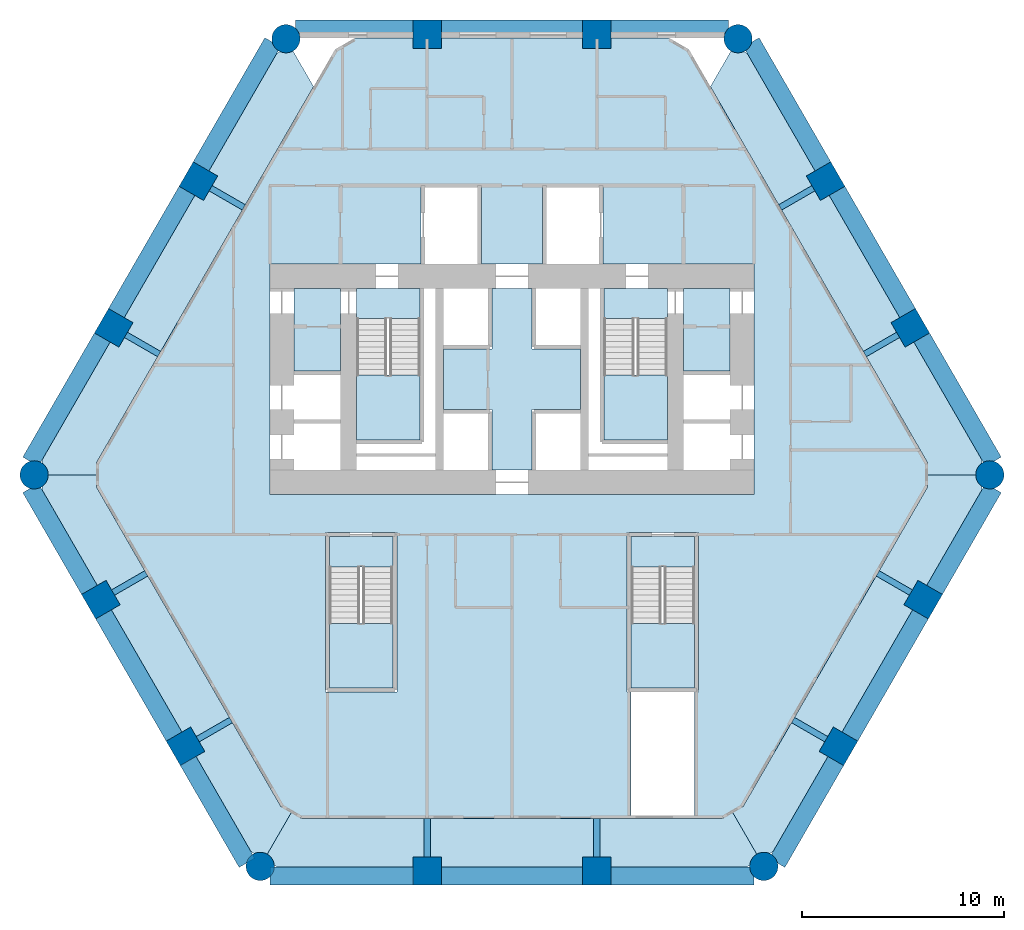
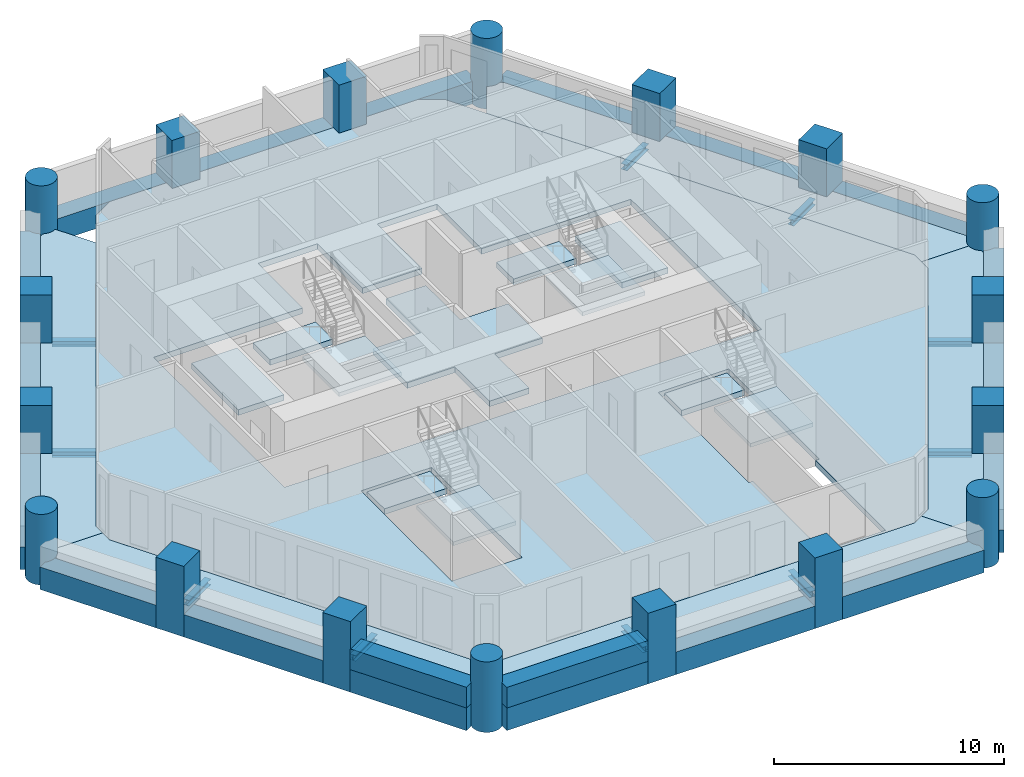
# One storey, part 1 of 8: 28 beams, 18 columns, 17 slabs, 2 walls, 4 elements without a shape of their own.
"""IFC4 building model written with IfcOpenShell, lengths in metres."""

from ifc_helpers import new_model, si_unit, direction, frame, frame_2d, origin, origin_2d, place, context, subcontext, project, spatial, polyline, rectangle, circle, i_section, outline, extrude, material, layer, layer_set, material_profile, profile_set, type_object, element, aggregate, save


model = new_model("IFC4")

# Units and contexts
model_context = context("Model", 3, precision=1e-05, world=origin(), true_north=direction((0.0, 1.0)))
body_context = subcontext(model_context, "Body", "Model", "MODEL_VIEW")
ifc_project = project(units=[si_unit("LENGTHUNIT", "METRE"), si_unit("AREAUNIT", "SQUARE_METRE"), si_unit("VOLUMEUNIT", "CUBIC_METRE"), si_unit("PLANEANGLEUNIT", "RADIAN"), si_unit("MASSUNIT", "GRAM", prefix="KILO")], contexts=[model_context])

# Site, building, storey
site_placement = place(None, origin())
site = spatial("IfcSite", under=ifc_project, at=site_placement, CompositionType="ELEMENT")
building_placement = place(site_placement, origin())
building = spatial("IfcBuilding", under=site, at=building_placement, Name="Ostrander Bayou Hotel Tower", CompositionType="ELEMENT")
storey_placement = place(building_placement, frame((0.0, 0.0, 61.75)))
storey = spatial("IfcBuildingStorey", under=building, at=storey_placement, Name="L15", CompositionType="ELEMENT", Elevation=61.75)

# Columns
ifc_material_1 = material(Name="Concrete f'c 70 MPa", Category="concrete")
ifc_material_profile_1 = material_profile(ifc_material_1, circle(Radius=0.699951171875, at=origin_2d()))
ifc_profile_set_1 = profile_set([ifc_material_profile_1], Name="Concrete f'c 70 MPa")
column_type_1 = type_object("IfcColumnType", Name="C1 round column 1400 mm f'c 70 MPa", PredefinedType="COLUMN", material=ifc_profile_set_1)
for number, where, z_axis, x_axis, name in (
    (1, (-11.2001953125, 20.872314453125, -1.199951171875), (0.0, 0.0, 1.0), (1.0, 0.0, 0.0), "C1 L15 K0"),
    (2, (-23.676025390625, -0.736328125, -1.199951171875), (0.0, 0.0, 1.0), (1.0, 0.0, 0.0), "C1 L15 K1"),
    (3, (-12.475830078125, -20.1357421875, -1.199951171875), (0.0, 0.0, 1.0), (1.0, 0.0, 0.0), "C1 L15 K2"),
    (4, (12.475830078125, -20.1357421875, -1.199951171875), (0.0, 0.0, 1.0), (1.0, 0.0, 0.0), "C1 L15 K3"),
    (5, (23.676025390625, -0.736328125, -1.199951171875), (0.0, 0.0, 1.0), (1.0, 0.0, 0.0), "C1 L15 K4"),
    (6, (11.2001953125, 20.872314453125, -1.199951171875), (0.0, 0.0, 1.0), (1.0, 0.0, 0.0), "C1 L15 K5"),
):
    element("IfcColumn", number, at=place(storey_placement, frame(where, z_axis=z_axis, x_axis=x_axis)), inside=storey, type_object=column_type_1, Name=name, PredefinedType="COLUMN", context=body_context, shape_type="SweptSolid", body=[
        extrude(circle(Radius=0.699951171875, at=origin_2d()), origin(), (0.0, 0.0, 1.0), 3.75),
    ])
ifc_material_2 = material(Name="Concrete f'c 70 MPa", Category="concrete")
ifc_material_profile_2 = material_profile(ifc_material_2, rectangle(XDim=1.39990234375, YDim=1.39990234375, at=origin_2d()))
ifc_profile_set_2 = profile_set([ifc_material_profile_2], Name="Concrete f'c 70 MPa")
column_type_2 = type_object("IfcColumnType", Name="C2 square column 1400 x 1400 mm f'c 70 MPa", PredefinedType="COLUMN", material=ifc_profile_set_2)
for number, where, z_axis, x_axis, name in (
    (7, (4.1953125, 21.10009765625, -1.199951171875), (0.0, 0.0, 1.0), (1.0, 0.0, 0.0), "C2 L15 N1"),
    (8, (-4.1953125, 21.10009765625, -1.199951171875), (0.0, 0.0, 1.0), (1.0, 0.0, 0.0), "C2 L15 N2"),
    (9, (-15.53759765625, 13.815185546875, -1.199951171875), (0.0, 0.0, 1.0), (0.5, 0.866025403784, 0.0), "C2 L15 NW1"),
    (10, (-19.733154296875, 6.548583984375, -1.199951171875), (0.0, 0.0, 1.0), (0.5, 0.866025403784, 0.0), "C2 L15 NW2"),
    (11, (-20.370849609375, -6.916748046875, -1.199951171875), (0.0, 0.0, 1.0), (-0.5, 0.866025403784, 0.0), "C2 L15 SW1"),
    (12, (-16.17529296875, -14.183349609375, -1.199951171875), (0.0, 0.0, 1.0), (-0.5, 0.866025403784, 0.0), "C2 L15 SW2"),
    (13, (-4.1953125, -20.363525390625, -1.199951171875), (0.0, 0.0, 1.0), (-1.0, 0.0, 0.0), "C2 L15 S1"),
    (14, (4.1953125, -20.363525390625, -1.199951171875), (0.0, 0.0, 1.0), (-1.0, 0.0, 0.0), "C2 L15 S2"),
    (15, (16.17529296875, -14.183349609375, -1.199951171875), (0.0, 0.0, 1.0), (-0.5, -0.866025403784, 0.0), "C2 L15 SE1"),
    (16, (20.370849609375, -6.916748046875, -1.199951171875), (0.0, 0.0, 1.0), (-0.5, -0.866025403784, 0.0), "C2 L15 SE2"),
    (17, (19.733154296875, 6.548583984375, -1.199951171875), (0.0, 0.0, 1.0), (0.5, -0.866025403784, 0.0), "C2 L15 NE1"),
    (18, (15.53759765625, 13.815185546875, -1.199951171875), (0.0, 0.0, 1.0), (0.5, -0.866025403784, 0.0), "C2 L15 NE2"),
):
    element("IfcColumn", number, at=place(storey_placement, frame(where, z_axis=z_axis, x_axis=x_axis)), inside=storey, type_object=column_type_2, Name=name, PredefinedType="COLUMN", context=body_context, shape_type="SweptSolid", body=[
        extrude(rectangle(XDim=1.39990234375, YDim=1.39990234375, at=origin_2d()), origin(), (0.0, 0.0, 1.0), 3.75),
    ])

# Beams
ifc_material_3 = material(Name="Steel ASTM A992", Category="steel")
ifc_material_profile_3 = material_profile(ifc_material_3, i_section(OverallWidth=0.3046875, OverallDepth=0.307861328125, WebThickness=0.010009765625, FlangeThickness=0.015380859375, at=origin_2d()))
ifc_profile_set_3 = profile_set([ifc_material_profile_3], Name="Steel ASTM A992")
beam_type_1 = type_object("IfcBeamType", Name="LB1 loggia bracket W12x65", PredefinedType="BEAM", material=ifc_profile_set_3)
for number, where, z_axis, x_axis, name in (
    (19, (-14.931396484375, 13.465087890625, -0.453857421875), (0.866044365799, -0.499967155389, 0.0), (0.499967155389, 0.866044365799, 0.0), "LB1 L15 NW1"),
    (20, (-19.126953125, 6.198486328125, -0.453857421875), (0.866044365799, -0.499967155389, 0.0), (0.499967155389, 0.866044365799, 0.0), "LB1 L15 NW2"),
    (21, (-19.7646484375, -6.566650390625, -0.453857421875), (0.866044365799, 0.499967155389, 0.0), (-0.499967155389, 0.866044365799, 0.0), "LB1 L15 SW1"),
):
    element("IfcBeam", number, at=place(storey_placement, frame(where, z_axis=z_axis, x_axis=x_axis)), inside=storey, type_object=beam_type_1, Name=name, PredefinedType="BEAM", context=body_context, shape_type="SweptSolid", body=[
        extrude(i_section(OverallWidth=0.3046875, OverallDepth=0.307861328125, WebThickness=0.010009765625, FlangeThickness=0.015380859375, at=origin_2d()), origin(), (0.0, 0.0, 1.0), 1.900146484375),
    ])
for number, where, z_axis, x_axis, name in (
    (22, (-15.569091796875, -13.833251953125, -0.453857421875), (0.86601224135, 0.500022797313, 0.0), (-0.500022797313, 0.86601224135, 0.0), "LB1 L15 SW2"),
    (23, (-4.1953125, -19.66357421875, -0.453857421875), (0.0, 1.0, 0.0), (-1.0, 0.0, 0.0), "LB1 L15 S1"),
    (24, (4.1953125, -19.66357421875, -0.453857421875), (0.0, 1.0, 0.0), (-1.0, 0.0, 0.0), "LB1 L15 S2"),
    (25, (15.569091796875, -13.833251953125, -0.453857421875), (-0.86601224135, 0.500022797313, 0.0), (-0.500022797313, -0.86601224135, 0.0), "LB1 L15 SE1"),
):
    element("IfcBeam", number, at=place(storey_placement, frame(where, z_axis=z_axis, x_axis=x_axis)), inside=storey, type_object=beam_type_1, Name=name, PredefinedType="BEAM", context=body_context, shape_type="SweptSolid", body=[
        extrude(i_section(OverallWidth=0.3046875, OverallDepth=0.307861328125, WebThickness=0.010009765625, FlangeThickness=0.015380859375, at=origin_2d()), origin(), (0.0, 0.0, 1.0), 1.89990234375),
    ])
for number, where, z_axis, x_axis, name in (
    (26, (19.7646484375, -6.566650390625, -0.453857421875), (-0.866044365799, 0.499967155389, 0.0), (-0.499967155389, -0.866044365799, 0.0), "LB1 L15 SE2"),
    (27, (19.126953125, 6.198486328125, -0.453857421875), (-0.866044365799, -0.499967155389, 0.0), (0.499967155389, -0.866044365799, 0.0), "LB1 L15 NE1"),
    (28, (14.931396484375, 13.465087890625, -0.453857421875), (-0.866044365799, -0.499967155389, 0.0), (0.499967155389, -0.866044365799, 0.0), "LB1 L15 NE2"),
):
    element("IfcBeam", number, at=place(storey_placement, frame(where, z_axis=z_axis, x_axis=x_axis)), inside=storey, type_object=beam_type_1, Name=name, PredefinedType="BEAM", context=body_context, shape_type="SweptSolid", body=[
        extrude(i_section(OverallWidth=0.3046875, OverallDepth=0.307861328125, WebThickness=0.010009765625, FlangeThickness=0.015380859375, at=origin_2d()), origin(), (0.0, 0.0, 1.0), 1.900146484375),
    ])
ifc_material_4 = material(Name="Concrete f'c 70 MPa", Category="concrete")
ifc_material_profile_4 = material_profile(ifc_material_4, rectangle(XDim=0.89990234375, YDim=1.199951171875, at=origin_2d()))
ifc_profile_set_4 = profile_set([ifc_material_profile_4], Name="Concrete f'c 70 MPa")
beam_type_2 = type_object("IfcBeamType", Name="SP1 spandrel beam 900 x 1200 mm f'c 70 MPa", PredefinedType="SPANDREL", material=ifc_profile_set_4)
beam_1_placement = place(storey_placement, frame((10.718505859375, 21.35009765625, -0.60009765625), z_axis=(-1.0, 0.0, 0.0), x_axis=(0.0, -1.0, 0.0)))
element("IfcBeam", 29, at=beam_1_placement, inside=storey, type_object=beam_type_2, Name="SP1 L15 N-1", PredefinedType="SPANDREL", context=body_context, shape_type="SweptSolid", body=[
    extrude(rectangle(XDim=0.89990234375, YDim=1.199951171875, at=origin_2d()), origin(), (0.0, 0.0, 1.0), 5.85302734375),
])
beam_2_placement = place(storey_placement, frame((3.525390625, 21.35009765625, -0.60009765625), z_axis=(-1.0, 0.0, 0.0), x_axis=(0.0, -1.0, 0.0)))
element("IfcBeam", 30, at=beam_2_placement, inside=storey, type_object=beam_type_2, Name="SP1 L15 N-2", PredefinedType="SPANDREL", context=body_context, shape_type="SweptSolid", body=[
    extrude(rectangle(XDim=0.89990234375, YDim=1.199951171875, at=origin_2d()), origin(), (0.0, 0.0, 1.0), 7.05078125),
])
beam_3_placement = place(storey_placement, frame((-4.865478515625, 21.35009765625, -0.60009765625), z_axis=(-1.0, 0.0, 0.0), x_axis=(0.0, -1.0, 0.0)))
element("IfcBeam", 31, at=beam_3_placement, inside=storey, type_object=beam_type_2, Name="SP1 L15 N-3", PredefinedType="SPANDREL", context=body_context, shape_type="SweptSolid", body=[
    extrude(rectangle(XDim=0.89990234375, YDim=1.199951171875, at=origin_2d()), origin(), (0.0, 0.0, 1.0), 5.85302734375),
])
beam_4_placement = place(storey_placement, frame((-11.854736328125, 20.694091796875, -0.60009765625), z_axis=(-0.500013966327, -0.866017340172, 0.0), x_axis=(0.866017340172, -0.500013966327, 0.0)))
element("IfcBeam", 32, at=beam_4_placement, inside=storey, type_object=beam_type_2, Name="SP1 L15 NW-1", PredefinedType="SPANDREL", context=body_context, shape_type="SweptSolid", body=[
    extrude(rectangle(XDim=0.89990234375, YDim=1.199951171875, at=origin_2d()), origin(), (0.0, 0.0, 1.0), 7.128662109375),
])
beam_5_placement = place(storey_placement, frame((-16.089111328125, 13.35986328125, -0.60009765625), z_axis=(-0.499997206141, -0.866027016814, 0.0), x_axis=(0.866027016814, -0.499997206141, 0.0)))
element("IfcBeam", 33, at=beam_5_placement, inside=storey, type_object=beam_type_2, Name="SP1 L15 NW-2", PredefinedType="SPANDREL", context=body_context, shape_type="SweptSolid", body=[
    extrude(rectangle(XDim=0.89990234375, YDim=1.199951171875, at=origin_2d()), origin(), (0.0, 0.0, 1.0), 7.05078125),
])
beam_6_placement = place(storey_placement, frame((-20.28466796875, 6.09326171875, -0.60009765625), z_axis=(-0.499999136801, -0.866025902152, 0.0), x_axis=(0.866025902152, -0.499999136801, 0.0)))
element("IfcBeam", 34, at=beam_6_placement, inside=storey, type_object=beam_type_2, Name="SP1 L15 NW-3", PredefinedType="SPANDREL", context=body_context, shape_type="SweptSolid", body=[
    extrude(rectangle(XDim=0.89990234375, YDim=1.199951171875, at=origin_2d()), origin(), (0.0, 0.0, 1.0), 7.12890625),
])
beam_7_placement = place(storey_placement, frame((-23.84912109375, -1.392333984375, -0.60009765625), z_axis=(0.500014901547, -0.866016800201, 0.0), x_axis=(0.866016800201, 0.500014901547, 0.0)))
element("IfcBeam", 35, at=beam_7_placement, inside=storey, type_object=beam_type_2, Name="SP1 L15 SW-1", PredefinedType="SPANDREL", context=body_context, shape_type="SweptSolid", body=[
    extrude(rectangle(XDim=0.89990234375, YDim=1.199951171875, at=origin_2d()), origin(), (0.0, 0.0, 1.0), 5.853271484375),
])
beam_8_placement = place(storey_placement, frame((-20.252197265625, -7.621826171875, -0.60009765625), z_axis=(0.499997206141, -0.866027016814, 0.0), x_axis=(0.866027016814, 0.499997206141, 0.0)))
element("IfcBeam", 36, at=beam_8_placement, inside=storey, type_object=beam_type_2, Name="SP1 L15 SW-2", PredefinedType="SPANDREL", context=body_context, shape_type="SweptSolid", body=[
    extrude(rectangle(XDim=0.89990234375, YDim=1.199951171875, at=origin_2d()), origin(), (0.0, 0.0, 1.0), 7.05078125),
])
beam_9_placement = place(storey_placement, frame((-16.056884765625, -14.888671875, -0.60009765625), z_axis=(0.500001680296, -0.866024433663, 0.0), x_axis=(0.866024433663, 0.500001680296, 0.0)))
element("IfcBeam", 37, at=beam_9_placement, inside=storey, type_object=beam_type_2, Name="SP1 L15 SW-3", PredefinedType="SPANDREL", context=body_context, shape_type="SweptSolid", body=[
    extrude(rectangle(XDim=0.89990234375, YDim=1.199951171875, at=origin_2d()), origin(), (0.0, 0.0, 1.0), 5.85302734375),
])
beam_10_placement = place(storey_placement, frame((-11.994140625, -20.613525390625, -0.60009765625), z_axis=(1.0, 0.0, 0.0), x_axis=(0.0, 1.0, 0.0)))
element("IfcBeam", 38, at=beam_10_placement, inside=storey, type_object=beam_type_2, Name="SP1 L15 S-1", PredefinedType="SPANDREL", context=body_context, shape_type="SweptSolid", body=[
    extrude(rectangle(XDim=0.89990234375, YDim=1.199951171875, at=origin_2d()), origin(), (0.0, 0.0, 1.0), 7.128662109375),
])
beam_11_placement = place(storey_placement, frame((-3.525390625, -20.613525390625, -0.60009765625), z_axis=(1.0, 0.0, 0.0), x_axis=(0.0, 1.0, 0.0)))
element("IfcBeam", 39, at=beam_11_placement, inside=storey, type_object=beam_type_2, Name="SP1 L15 S-2", PredefinedType="SPANDREL", context=body_context, shape_type="SweptSolid", body=[
    extrude(rectangle(XDim=0.89990234375, YDim=1.199951171875, at=origin_2d()), origin(), (0.0, 0.0, 1.0), 7.05078125),
])
beam_12_placement = place(storey_placement, frame((4.865478515625, -20.613525390625, -0.60009765625), z_axis=(1.0, 0.0, 0.0), x_axis=(0.0, 1.0, 0.0)))
element("IfcBeam", 40, at=beam_12_placement, inside=storey, type_object=beam_type_2, Name="SP1 L15 S-3", PredefinedType="SPANDREL", context=body_context, shape_type="SweptSolid", body=[
    extrude(rectangle(XDim=0.89990234375, YDim=1.199951171875, at=origin_2d()), origin(), (0.0, 0.0, 1.0), 7.128662109375),
])
beam_13_placement = place(storey_placement, frame((13.13037109375, -19.95751953125, -0.60009765625), z_axis=(0.500001680296, 0.866024433663, 0.0), x_axis=(-0.866024433663, 0.500001680296, 0.0)))
element("IfcBeam", 41, at=beam_13_placement, inside=storey, type_object=beam_type_2, Name="SP1 L15 SE-1", PredefinedType="SPANDREL", context=body_context, shape_type="SweptSolid", body=[
    extrude(rectangle(XDim=0.89990234375, YDim=1.199951171875, at=origin_2d()), origin(), (0.0, 0.0, 1.0), 5.85302734375),
])
beam_14_placement = place(storey_placement, frame((16.726806640625, -13.72802734375, -0.60009765625), z_axis=(0.499997206141, 0.866027016814, 0.0), x_axis=(-0.866027016814, 0.499997206141, 0.0)))
element("IfcBeam", 42, at=beam_14_placement, inside=storey, type_object=beam_type_2, Name="SP1 L15 SE-2", PredefinedType="SPANDREL", context=body_context, shape_type="SweptSolid", body=[
    extrude(rectangle(XDim=0.89990234375, YDim=1.199951171875, at=origin_2d()), origin(), (0.0, 0.0, 1.0), 7.05078125),
])
beam_15_placement = place(storey_placement, frame((20.92236328125, -6.46142578125, -0.60009765625), z_axis=(0.500014901547, 0.866016800201, 0.0), x_axis=(-0.866016800201, 0.500014901547, 0.0)))
element("IfcBeam", 43, at=beam_15_placement, inside=storey, type_object=beam_type_2, Name="SP1 L15 SE-3", PredefinedType="SPANDREL", context=body_context, shape_type="SweptSolid", body=[
    extrude(rectangle(XDim=0.89990234375, YDim=1.199951171875, at=origin_2d()), origin(), (0.0, 0.0, 1.0), 5.853271484375),
])
beam_16_placement = place(storey_placement, frame((23.84912109375, -0.08056640625, -0.60009765625), z_axis=(-0.499999136801, 0.866025902152, 0.0), x_axis=(-0.866025902152, -0.499999136801, 0.0)))
element("IfcBeam", 44, at=beam_16_placement, inside=storey, type_object=beam_type_2, Name="SP1 L15 NE-1", PredefinedType="SPANDREL", context=body_context, shape_type="SweptSolid", body=[
    extrude(rectangle(XDim=0.89990234375, YDim=1.199951171875, at=origin_2d()), origin(), (0.0, 0.0, 1.0), 7.12890625),
])
beam_17_placement = place(storey_placement, frame((19.614501953125, 7.253662109375, -0.60009765625), z_axis=(-0.499997206141, 0.866027016814, 0.0), x_axis=(-0.866027016814, -0.499997206141, 0.0)))
element("IfcBeam", 45, at=beam_17_placement, inside=storey, type_object=beam_type_2, Name="SP1 L15 NE-2", PredefinedType="SPANDREL", context=body_context, shape_type="SweptSolid", body=[
    extrude(rectangle(XDim=0.89990234375, YDim=1.199951171875, at=origin_2d()), origin(), (0.0, 0.0, 1.0), 7.05078125),
])
beam_18_placement = place(storey_placement, frame((15.419189453125, 14.5205078125, -0.60009765625), z_axis=(-0.500013966327, 0.866017340172, 0.0), x_axis=(-0.866017340172, -0.500013966327, 0.0)))
element("IfcBeam", 46, at=beam_18_placement, inside=storey, type_object=beam_type_2, Name="SP1 L15 NE-3", PredefinedType="SPANDREL", context=body_context, shape_type="SweptSolid", body=[
    extrude(rectangle(XDim=0.89990234375, YDim=1.199951171875, at=origin_2d()), origin(), (0.0, 0.0, 1.0), 7.128662109375),
])

# Slabs
ifc_material_5 = material(Name="Concrete f'c 40 MPa", Category="concrete")
ifc_layer_1 = layer(ifc_material_5, 0.300048828125)
ifc_layer_set_1 = layer_set([ifc_layer_1], Name="SL1 floor slab 300 mm f'c 40 MPa")
slab_type_1 = type_object("IfcSlabType", Name="SL1 floor slab 300 mm f'c 40 MPa", PredefinedType="FLOOR", material=ifc_layer_set_1)
slab_1_placement = place(storey_placement, frame((0.0, 0.0, -0.300048828125)))
element("IfcSlab", 47, at=slab_1_placement, inside=storey, type_object=slab_type_1, Name="SL1 L15 1", PredefinedType="FLOOR", context=body_context, shape_type="SweptSolid", body=[
    extrude(outline(polyline([(-3.525390625, 20.89990234375), (3.525390625, 20.89990234375), (4.865478515625, 20.89990234375), (7.752197265625, 20.89990234375), (8.79150390625, 20.300048828125), (20.59033203125, -0.136474609375), (20.59033203125, -1.33642578125), (11.45263671875, -17.16357421875), (10.413330078125, -17.763671875), (-10.413330078125, -17.763671875), (-11.45263671875, -17.16357421875), (-20.59033203125, -1.33642578125), (-20.59033203125, -0.136474609375), (-8.79150390625, 20.300048828125), (-7.752197265625, 20.89990234375), (-4.865478515625, 20.89990234375), (-3.525390625, 20.89990234375)]), holes=[polyline([(-12.0, -1.699951171875), (12.0, -1.699951171875), (12.0, 9.699951171875), (4.5, 9.699951171875), (4.5, 13.60009765625), (1.5, 13.60009765625), (1.5, 9.699951171875), (-1.5, 9.699951171875), (-1.5, 13.60009765625), (-4.5, 13.60009765625), (-4.5, 9.699951171875), (-12.0, 9.699951171875), (-12.0, -1.699951171875)]), polyline([(9.050048828125, -11.5), (9.25, -11.5), (9.25, -3.60009765625), (5.699951171875, -3.60009765625), (5.699951171875, -11.5), (5.89990234375, -11.5), (5.89990234375, -17.613525390625), (9.050048828125, -17.613525390625), (9.050048828125, -11.5)]), polyline([(-5.699951171875, -3.60009765625), (-9.25, -3.60009765625), (-9.25, -11.5), (-5.699951171875, -11.5), (-5.699951171875, -3.60009765625)])]), origin(), (0.0, 0.0, 1.0), 0.300048828125),
])
slab_2_placement = place(storey_placement, frame((0.0, 0.0, -0.300048828125)))
element("IfcSlab", 48, at=slab_2_placement, inside=storey, type_object=slab_type_1, Name="cslab:L15:001", PredefinedType="FLOOR", context=body_context, shape_type="SweptSolid", body=[
    extrude(outline(polyline([(-3.39990234375, 5.5), (-1.0, 5.5), (-1.0, 8.5), (1.0, 8.5), (1.0, 5.5), (3.39990234375, 5.5), (3.39990234375, 2.5), (1.0, 2.5), (1.0, -0.5), (-1.0, -0.5), (-1.0, 2.5), (-3.39990234375, 2.5), (-3.39990234375, 5.5)])), origin(), (0.0, 0.0, 1.0), 0.300048828125),
])
slab_3_placement = place(storey_placement, frame((0.0, 0.0, -0.300048828125)))
element("IfcSlab", 49, at=slab_3_placement, inside=storey, type_object=slab_type_1, Name="cslab:L15:002", PredefinedType="FLOOR", context=body_context, shape_type="SweptSolid", body=[
    extrude(outline(polyline([(-8.5, 4.39990234375), (-8.5, 8.5), (-10.800048828125, 8.5), (-10.800048828125, 4.39990234375), (-8.5, 4.39990234375)])), origin(), (0.0, 0.0, 1.0), 0.300048828125),
])
slab_4_placement = place(storey_placement, frame((0.0, 0.0, -0.300048828125)))
element("IfcSlab", 50, at=slab_4_placement, inside=storey, type_object=slab_type_1, Name="cslab:L15:003", PredefinedType="FLOOR", context=body_context, shape_type="SweptSolid", body=[
    extrude(outline(polyline([(10.800048828125, 4.39990234375), (10.800048828125, 8.5), (8.5, 8.5), (8.5, 4.39990234375), (10.800048828125, 4.39990234375)])), origin(), (0.0, 0.0, 1.0), 0.300048828125),
])
slab_5_placement = place(storey_placement, frame((0.0, 0.0, -0.300048828125)))
element("IfcSlab", 51, at=slab_5_placement, inside=storey, type_object=slab_type_1, Name="cslab:L15:004", PredefinedType="FLOOR", context=body_context, shape_type="SweptSolid", body=[
    extrude(outline(polyline([(-4.550048828125, 7.0), (-4.550048828125, 8.5), (-7.699951171875, 8.5), (-7.699951171875, 7.0), (-4.550048828125, 7.0)])), origin(), (0.0, 0.0, 1.0), 0.300048828125),
])
slab_6_placement = place(storey_placement, frame((0.0, 0.0, -0.300048828125)))
element("IfcSlab", 52, at=slab_6_placement, inside=storey, type_object=slab_type_1, Name="cslab:L15:005", PredefinedType="FLOOR", context=body_context, shape_type="SweptSolid", body=[
    extrude(outline(polyline([(7.699951171875, 7.0), (7.699951171875, 8.5), (4.550048828125, 8.5), (4.550048828125, 7.0), (7.699951171875, 7.0)])), origin(), (0.0, 0.0, 1.0), 0.300048828125),
])
slab_7_placement = place(storey_placement, frame((0.0, 0.0, -0.300048828125)))
element("IfcSlab", 53, at=slab_7_placement, inside=storey, type_object=slab_type_1, Name="cslab:L15:006", PredefinedType="FLOOR", context=body_context, shape_type="SweptSolid", body=[
    extrude(outline(polyline([(9.050048828125, -5.300048828125), (9.050048828125, -3.800048828125), (5.89990234375, -3.800048828125), (5.89990234375, -5.300048828125), (9.050048828125, -5.300048828125)])), origin(), (0.0, 0.0, 1.0), 0.300048828125),
])
slab_8_placement = place(storey_placement, frame((0.0, 0.0, -0.300048828125)))
element("IfcSlab", 54, at=slab_8_placement, inside=storey, type_object=slab_type_1, Name="cslab:L15:007", PredefinedType="FLOOR", context=body_context, shape_type="SweptSolid", body=[
    extrude(outline(polyline([(-5.89990234375, -5.300048828125), (-5.89990234375, -3.800048828125), (-9.050048828125, -3.800048828125), (-9.050048828125, -5.300048828125), (-5.89990234375, -5.300048828125)])), origin(), (0.0, 0.0, 1.0), 0.300048828125),
])
ifc_material_6 = material(Name="Concrete f'c 40 MPa", Category="concrete")
ifc_layer_2 = layer(ifc_material_6, 0.300048828125)
ifc_layer_set_2 = layer_set([ifc_layer_2], Name="SL4 loggia slab 300 mm f'c 40 MPa")
slab_type_2 = type_object("IfcSlabType", Name="SL4 loggia slab 300 mm f'c 40 MPa", PredefinedType="FLOOR", material=ifc_layer_set_2)
slab_9_placement = place(storey_placement, frame((0.0, 0.0, -0.300048828125)))
element("IfcSlab", 55, at=slab_9_placement, inside=storey, type_object=slab_type_2, Name="SL4 LOGGIA L15 NW 1", PredefinedType="FLOOR", context=body_context, shape_type="SweptSolid", body=[
    extrude(outline(polyline([(-22.97607421875, -0.736328125), (-22.989501953125, -0.599853515625), (-23.029296875, -0.468505859375), (-23.093994140625, -0.347412109375), (-23.180908203125, -0.241455078125), (-23.275146484375, -0.164306640625), (-23.275146484375, 0.013671875), (-11.6494140625, 20.14990234375), (-11.494384765625, 20.239501953125), (-11.468017578125, 20.2255859375), (-11.3369140625, 20.185791015625), (-11.2001953125, 20.172119140625), (-11.063720703125, 20.185791015625), (-10.932373046875, 20.2255859375), (-10.851806640625, 20.2685546875), (-9.83056640625, 18.5), (-20.59033203125, -0.136474609375), (-20.59033203125, -0.736328125), (-22.97607421875, -0.736328125)])), origin(), (0.0, 0.0, 1.0), 0.300048828125),
])
slab_10_placement = place(storey_placement, frame((0.0, 0.0, -0.300048828125)))
element("IfcSlab", 56, at=slab_10_placement, inside=storey, type_object=slab_type_2, Name="SL4 LOGGIA L15 SW 1", PredefinedType="FLOOR", context=body_context, shape_type="SweptSolid", body=[
    extrude(outline(polyline([(-10.93310546875, -17.463623046875), (-12.127197265625, -19.5322265625), (-12.2080078125, -19.489013671875), (-12.339111328125, -19.44921875), (-12.475830078125, -19.435791015625), (-12.6123046875, -19.44921875), (-12.74365234375, -19.489013671875), (-12.769775390625, -19.503173828125), (-12.9248046875, -19.41357421875), (-15.667236328125, -14.66357421875), (-16.337158203125, -13.503173828125), (-19.862548828125, -7.39697265625), (-20.53271484375, -6.236328125), (-23.275146484375, -1.486328125), (-23.275146484375, -1.30859375), (-23.180908203125, -1.2314453125), (-23.093994140625, -1.125244140625), (-23.029296875, -1.00439453125), (-22.989501953125, -0.873046875), (-22.97607421875, -0.736328125), (-20.59033203125, -0.736328125), (-20.59033203125, -1.33642578125), (-11.45263671875, -17.16357421875), (-10.93310546875, -17.463623046875)])), origin(), (0.0, 0.0, 1.0), 0.300048828125),
])
slab_11_placement = place(storey_placement, frame((0.0, 0.0, -0.300048828125)))
element("IfcSlab", 57, at=slab_11_placement, inside=storey, type_object=slab_type_2, Name="SL4 LOGGIA L15 S 1", PredefinedType="FLOOR", context=body_context, shape_type="SweptSolid", body=[
    extrude(outline(polyline([(10.93310546875, -17.463623046875), (12.127197265625, -19.5322265625), (12.0869140625, -19.5537109375), (11.980712890625, -19.640869140625), (11.893798828125, -19.746826171875), (11.8291015625, -19.867919921875), (11.789306640625, -19.999267578125), (11.781982421875, -20.073486328125), (11.625732421875, -20.16357421875), (-11.625732421875, -20.16357421875), (-11.781982421875, -20.073486328125), (-11.789306640625, -19.999267578125), (-11.8291015625, -19.867919921875), (-11.893798828125, -19.746826171875), (-11.980712890625, -19.640869140625), (-12.0869140625, -19.5537109375), (-12.127197265625, -19.5322265625), (-10.93310546875, -17.463623046875), (-10.413330078125, -17.763671875), (10.413330078125, -17.763671875), (10.93310546875, -17.463623046875)])), origin(), (0.0, 0.0, 1.0), 0.300048828125),
])
slab_12_placement = place(storey_placement, frame((0.0, 0.0, -0.300048828125)))
element("IfcSlab", 58, at=slab_12_placement, inside=storey, type_object=slab_type_2, Name="SL4 LOGGIA L15 SE 1", PredefinedType="FLOOR", context=body_context, shape_type="SweptSolid", body=[
    extrude(outline(polyline([(20.59033203125, -0.736328125), (22.97607421875, -0.736328125), (22.989501953125, -0.873046875), (23.029296875, -1.00439453125), (23.093994140625, -1.125244140625), (23.180908203125, -1.2314453125), (23.275146484375, -1.30859375), (23.275146484375, -1.486328125), (20.53271484375, -6.236328125), (19.862548828125, -7.39697265625), (16.337158203125, -13.503173828125), (15.667236328125, -14.66357421875), (12.9248046875, -19.41357421875), (12.769775390625, -19.503173828125), (12.74365234375, -19.489013671875), (12.6123046875, -19.44921875), (12.475830078125, -19.435791015625), (12.339111328125, -19.44921875), (12.2080078125, -19.489013671875), (12.127197265625, -19.5322265625), (10.93310546875, -17.463623046875), (11.45263671875, -17.16357421875), (20.59033203125, -1.33642578125), (20.59033203125, -0.736328125)])), origin(), (0.0, 0.0, 1.0), 0.300048828125),
])
slab_13_placement = place(storey_placement, frame((0.0, 0.0, -0.300048828125)))
element("IfcSlab", 59, at=slab_13_placement, inside=storey, type_object=slab_type_2, Name="SL4 LOGGIA L15 NE 1", PredefinedType="FLOOR", context=body_context, shape_type="SweptSolid", body=[
    extrude(outline(polyline([(10.851806640625, 20.2685546875), (10.932373046875, 20.2255859375), (11.063720703125, 20.185791015625), (11.2001953125, 20.172119140625), (11.3369140625, 20.185791015625), (11.468017578125, 20.2255859375), (11.494384765625, 20.239501953125), (11.6494140625, 20.14990234375), (18.841064453125, 7.693603515625), (19.224853515625, 7.02880859375), (23.275146484375, 0.013671875), (23.275146484375, -0.164306640625), (23.180908203125, -0.241455078125), (23.093994140625, -0.347412109375), (23.029296875, -0.468505859375), (22.989501953125, -0.599853515625), (22.97607421875, -0.736328125), (20.59033203125, -0.736328125), (20.59033203125, -0.136474609375), (9.83056640625, 18.5), (10.851806640625, 20.2685546875)])), origin(), (0.0, 0.0, 1.0), 0.300048828125),
])

# Stair, slab
ifc_material_7 = material(Name="Concrete f'c 45 MPa", Category="concrete")
stair_type = type_object("IfcStairType", Name="ST1 exit stair 1500 mm f'c 45 MPa", PredefinedType="HALF_TURN_STAIR", material=ifc_material_7)
stair_1_placement = place(storey_placement, origin())
stair_1 = element("IfcStair", 60, at=stair_1_placement, inside=storey, type_object=stair_type, Name="L15 exit stair A", PredefinedType="HALF_TURN_STAIR")
ifc_material_8 = material(Name="Concrete f'c 45 MPa", Category="concrete")
ifc_layer_3 = layer(ifc_material_8, 0.199951171875)
ifc_layer_set_3 = layer_set([ifc_layer_3], Name="SL8 stair landing 200 mm f'c 45 MPa")
slab_type_3 = type_object("IfcSlabType", Name="SL8 stair landing 200 mm f'c 45 MPa", PredefinedType="LANDING", material=ifc_layer_set_3)
slab_14_placement = place(storey_placement, frame((0.0, 0.0, 1.675048828125)))
slab_14 = element("IfcSlab", 61, at=slab_14_placement, type_object=slab_type_3, Name="STA landing 1", PredefinedType="LANDING", context=body_context, shape_type="SweptSolid", body=[
    extrude(outline(polyline([(-7.699951171875, 4.199951171875), (-7.699951171875, 1.0), (-4.550048828125, 1.0), (-4.550048828125, 4.199951171875), (-7.699951171875, 4.199951171875)])), origin(), (0.0, 0.0, 1.0), 0.199951171875),
])
aggregate(stair_1, [slab_14])

stair_2_placement = place(storey_placement, origin())
stair_2 = element("IfcStair", 62, at=stair_2_placement, inside=storey, type_object=stair_type, Name="L15 exit stair B", PredefinedType="HALF_TURN_STAIR")
slab_15_placement = place(storey_placement, frame((0.0, 0.0, 1.675048828125)))
slab_15 = element("IfcSlab", 63, at=slab_15_placement, type_object=slab_type_3, Name="STB landing 1", PredefinedType="LANDING", context=body_context, shape_type="SweptSolid", body=[
    extrude(outline(polyline([(4.550048828125, 4.199951171875), (4.550048828125, 1.0), (7.699951171875, 1.0), (7.699951171875, 4.199951171875), (4.550048828125, 4.199951171875)])), origin(), (0.0, 0.0, 1.0), 0.199951171875),
])
aggregate(stair_2, [slab_15])

stair_3_placement = place(storey_placement, origin())
stair_3 = element("IfcStair", 64, at=stair_3_placement, inside=storey, type_object=stair_type, Name="L15 exit stair C", PredefinedType="HALF_TURN_STAIR")
slab_16_placement = place(storey_placement, frame((0.0, 0.0, 1.675048828125)))
slab_16 = element("IfcSlab", 65, at=slab_16_placement, type_object=slab_type_3, Name="STC landing 1", PredefinedType="LANDING", context=body_context, shape_type="SweptSolid", body=[
    extrude(outline(polyline([(5.89990234375, -8.10009765625), (5.89990234375, -11.300048828125), (9.050048828125, -11.300048828125), (9.050048828125, -8.10009765625), (5.89990234375, -8.10009765625)])), origin(), (0.0, 0.0, 1.0), 0.199951171875),
])
aggregate(stair_3, [slab_16])

stair_4_placement = place(storey_placement, origin())
stair_4 = element("IfcStair", 66, at=stair_4_placement, inside=storey, type_object=stair_type, Name="L15 exit stair D", PredefinedType="HALF_TURN_STAIR")
slab_17_placement = place(storey_placement, frame((0.0, 0.0, 1.675048828125)))
slab_17 = element("IfcSlab", 67, at=slab_17_placement, type_object=slab_type_3, Name="STD landing 1", PredefinedType="LANDING", context=body_context, shape_type="SweptSolid", body=[
    extrude(outline(polyline([(-9.050048828125, -8.10009765625), (-9.050048828125, -11.300048828125), (-5.89990234375, -11.300048828125), (-5.89990234375, -8.10009765625), (-9.050048828125, -8.10009765625)])), origin(), (0.0, 0.0, 1.0), 0.199951171875),
])
aggregate(stair_4, [slab_17])

# Walls
ifc_material_9 = material(Name="Concrete f'c 40 MPa", Category="concrete")
ifc_layer_4 = layer(ifc_material_9, 0.89990234375)
ifc_layer_set_4 = layer_set([ifc_layer_4], Name="PA1 stone-faced parapet 900 mm")
wall_type_1 = type_object("IfcWallType", Name="PA1 stone-faced parapet 900 mm", PredefinedType="PARAPET", material=ifc_layer_set_4)
wall_1_placement = place(storey_placement, frame((-11.994140625, -20.613525390625, 0.0), z_axis=(0.0, 0.0, 1.0), x_axis=(1.0, 0.0, 0.0)))
element("IfcWall", 68, at=wall_1_placement, inside=storey, type_object=wall_type_1, Name="PA1 L15 S-1", PredefinedType="PARAPET", context=body_context, shape_type="SweptSolid", body=[
    extrude(rectangle(XDim=7.128662109375, YDim=0.89990234375, at=frame_2d((3.564453125, 0.0))), origin(), (0.0, 0.0, 1.0), 1.10009765625),
])
ifc_material_10 = material(Name="Limestone masonry", Category="masonry")
ifc_layer_5 = layer(ifc_material_10, 0.89990234375)
ifc_layer_set_5 = layer_set([ifc_layer_5], Name="PA2 limestone parapet 900 mm")
wall_type_2 = type_object("IfcWallType", Name="PA2 limestone parapet 900 mm", PredefinedType="PARAPET", material=ifc_layer_set_5)
wall_2_placement = place(storey_placement, frame((-16.056884765625, -14.888671875, 0.0), z_axis=(0.0, 0.0, 1.0), x_axis=(0.500001680296, -0.866024433663, 0.0)))
element("IfcWall", 69, at=wall_2_placement, inside=storey, type_object=wall_type_2, Name="PA2 L15 SW-3", PredefinedType="PARAPET", context=body_context, shape_type="SweptSolid", body=[
    extrude(rectangle(XDim=5.85302734375, YDim=0.89990234375, at=frame_2d((2.926513671875, 0.0))), origin(), (0.0, 0.0, 1.0), 1.10009765625),
])

save(model, "model.ifc")
